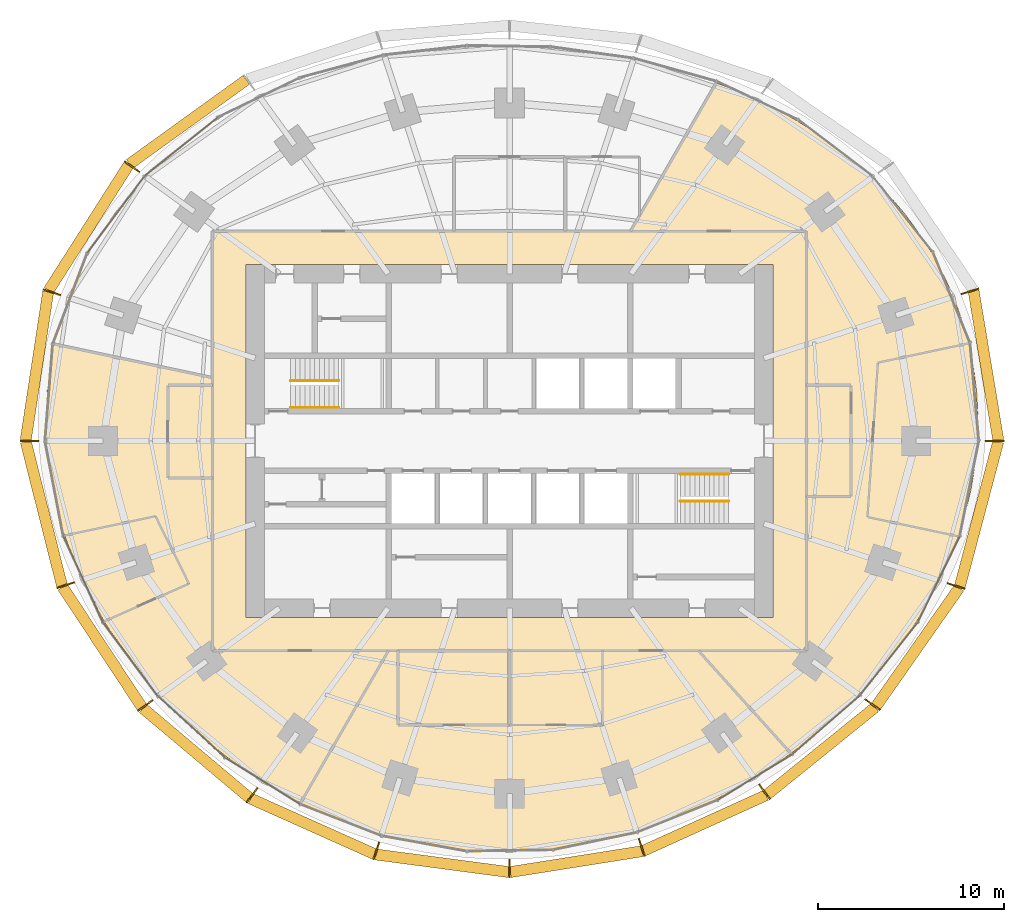
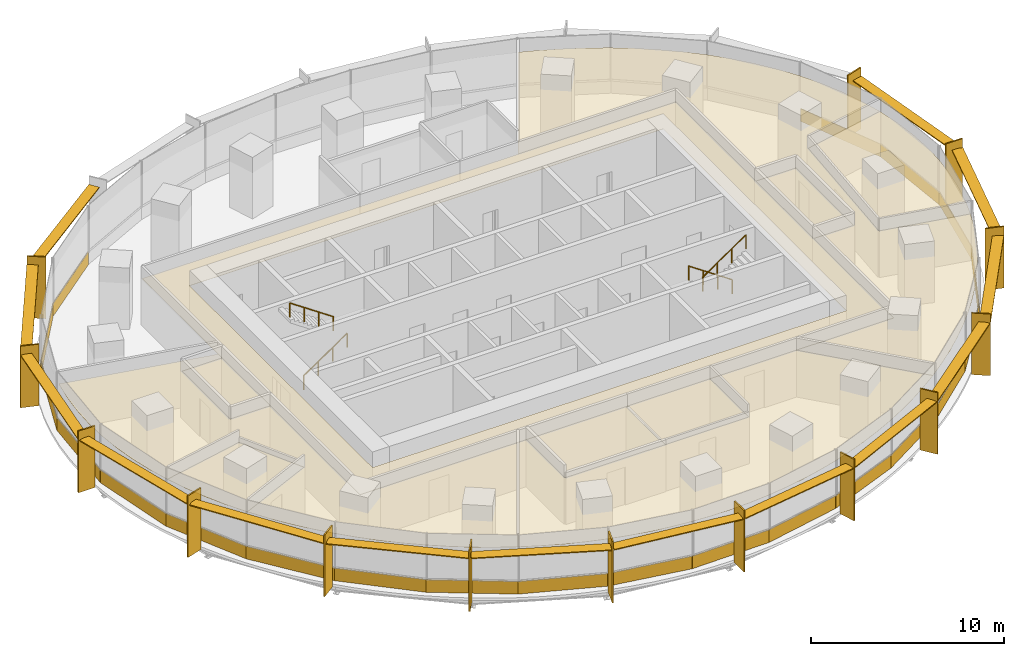
# One storey, part 13 of 14: 31 coverings, 28 shading devices, 4 railings.
"""IFC4 building model written with IfcOpenShell, lengths in metres."""

from ifc_helpers import new_model, si_unit, direction, frame, origin, origin_2d, place, context, subcontext, project, spatial, polyline, rectangle, circle, outline, extrude, material, layer, layer_set, type_object, element, save


model = new_model("IFC4")

# Units and contexts
model_context = context("Model", 3, precision=1e-05, world=origin(), true_north=direction((0.0, 1.0)))
body_context = subcontext(model_context, "Body", "Model", "MODEL_VIEW")
ifc_project = project(units=[si_unit("LENGTHUNIT", "METRE"), si_unit("AREAUNIT", "SQUARE_METRE"), si_unit("VOLUMEUNIT", "CUBIC_METRE"), si_unit("PLANEANGLEUNIT", "RADIAN"), si_unit("MASSUNIT", "GRAM", prefix="KILO")], contexts=[model_context])

# Site, building, storey
site_placement = place(None, origin())
site = spatial("IfcSite", under=ifc_project, at=site_placement, CompositionType="ELEMENT")
building_placement = place(site_placement, origin())
building = spatial("IfcBuilding", under=site, at=building_placement, Name="Marramba Exchange Tower", CompositionType="ELEMENT")
storey_placement = place(building_placement, frame((0.0, 0.0, 123.60009765625)))
storey = spatial("IfcBuildingStorey", under=building, at=storey_placement, Name="L29", CompositionType="ELEMENT", Elevation=123.60009765625)

# Shading devices
ifc_material_1 = material(Name="Aluminium blade, timber-look bronze finish", Category="wood")
ifc_layer_1 = layer(ifc_material_1, 0.080078125)
ifc_layer_set_1 = layer_set([ifc_layer_1], Name="Floor-edge blade 1000x80")
shading_device_type_1 = type_object("IfcShadingDeviceType", Name="Floor-edge blade 1000x80", PredefinedType="USERDEFINED", material=ifc_layer_set_1)
for number, where, z_axis, x_axis, name in (
    (1, (26.132080078125, 0.0, -0.16015625), (0.0, 0.0, 1.0), (1.0, 0.0, 0.0), "Floor-edge blade FB1 L29 TC01"),
    (2, (24.798583984375, 8.0576171875, -0.16015625), (0.0, 0.0, 1.0), (0.951056516295, 0.309016994375, 0.0), "Floor-edge blade FB1 L29 TC02"),
    (3, (-20.33642578125, 14.775390625, -0.16015625), (0.0, 0.0, 1.0), (-0.809016994375, 0.587785252292, 0.0), "Floor-edge blade FB1 L29 TC09"),
    (4, (-24.653076171875, 8.01025390625, -0.16015625), (0.0, 0.0, 1.0), (-0.951056516295, 0.309016994375, 0.0), "Floor-edge blade FB1 L29 TC10"),
    (5, (-25.867919921875, 0.0, -0.16015625), (0.0, 0.0, 1.0), (-1.0, 0.0, 0.0), "Floor-edge blade FB1 L29 TC11"),
    (6, (-23.90673828125, -7.767822265625, -0.16015625), (0.0, 0.0, 1.0), (-0.951056516295, -0.309016994375, 0.0), "Floor-edge blade FB1 L29 TC12"),
    (7, (-19.618408203125, -14.253662109375, -0.16015625), (0.0, 0.0, 1.0), (-0.809016994375, -0.587785252292, 0.0), "Floor-edge blade FB1 L29 TC13"),
    (8, (-13.866943359375, -19.08642578125, -0.16015625), (0.0, 0.0, 1.0), (-0.587785252292, -0.809016994375, 0.0), "Floor-edge blade FB1 L29 TC14"),
    (9, (-7.173828125, -22.078857421875, -0.16015625), (0.0, 0.0, 1.0), (-0.309016994375, -0.951056516295, 0.0), "Floor-edge blade FB1 L29 TC15"),
    (10, (0.0, -23.02685546875, -0.16015625), (0.0, 0.0, 1.0), (0.0, -1.0, 0.0), "Floor-edge blade FB1 L29 TC16"),
    (11, (7.115966796875, -21.900634765625, -0.16015625), (0.0, 0.0, 1.0), (0.309016994375, -0.951056516295, 0.0), "Floor-edge blade FB1 L29 TC17"),
    (12, (13.733154296875, -18.902099609375, -0.16015625), (0.0, 0.0, 1.0), (0.587785252292, -0.809016994375, 0.0), "Floor-edge blade FB1 L29 TC18"),
    (13, (19.555908203125, -14.208251953125, -0.16015625), (0.0, 0.0, 1.0), (0.809016994375, -0.587785252292, 0.0), "Floor-edge blade FB1 L29 TC19"),
    (14, (24.052001953125, -7.81494140625, -0.16015625), (0.0, 0.0, 1.0), (0.951056516295, -0.309016994375, 0.0), "Floor-edge blade FB1 L29 TC20"),
):
    element("IfcShadingDevice", number, at=place(storey_placement, frame(where, z_axis=z_axis, x_axis=x_axis)), inside=storey, type_object=shading_device_type_1, Name=name, ObjectType="FIN", PredefinedType="USERDEFINED", context=body_context, shape_type="SweptSolid", body=[
        extrude(rectangle(XDim=1.0, YDim=0.080078125, at=origin_2d()), origin(), (0.0, 0.0, 1.0), 3.89990234375),
    ])
ifc_material_2 = material(Name="Aluminium sunshade, bronze anodised", Category="aluminium")
ifc_layer_2 = layer(ifc_material_2, 0.06005859375)
ifc_layer_set_2 = layer_set([ifc_layer_2], Name="SUNSHADE blade 600x60")
shading_device_type_2 = type_object("IfcShadingDeviceType", Name="SUNSHADE blade 600x60", PredefinedType="USERDEFINED", material=ifc_layer_set_2)
shading_device_1_placement = place(storey_placement, frame((25.660400390625, 4.0595703125, 3.159912109375), z_axis=(0.0, 0.0, 1.0), x_axis=(-0.163227675764, 0.986588427798, 0.0)))
element("IfcShadingDevice", 15, at=shading_device_1_placement, inside=storey, type_object=shading_device_type_2, Name="Sunshade SS1 L29 bay 01", ObjectType="SUNSHADE", PredefinedType="USERDEFINED", context=body_context, shape_type="SweptSolid", body=[
    extrude(rectangle(XDim=8.149658203125, YDim=0.60009765625, at=origin_2d()), origin(), (0.0, 0.0, 1.0), 0.06005859375),
])
shading_device_2_placement = place(storey_placement, frame((-17.322509765625, 17.18212890625, 3.159912109375), z_axis=(0.0, 0.0, 1.0), x_axis=(-0.811199164202, -0.584769968448, 0.0)))
element("IfcShadingDevice", 16, at=shading_device_2_placement, inside=storey, type_object=shading_device_type_2, Name="Sunshade SS1 L29 bay 08", ObjectType="SUNSHADE", PredefinedType="USERDEFINED", context=body_context, shape_type="SweptSolid", body=[
    extrude(rectangle(XDim=7.749755859375, YDim=0.60009765625, at=origin_2d()), origin(), (0.0, 0.0, 1.0), 0.06005859375),
])
shading_device_3_placement = place(storey_placement, frame((-22.6708984375, 11.482421875, 3.159912109375), z_axis=(0.0, 0.0, 1.0), x_axis=(-0.537284770546, -0.843400898351, 0.0)))
element("IfcShadingDevice", 17, at=shading_device_3_placement, inside=storey, type_object=shading_device_type_2, Name="Sunshade SS1 L29 bay 09", ObjectType="SUNSHADE", PredefinedType="USERDEFINED", context=body_context, shape_type="SweptSolid", body=[
    extrude(rectangle(XDim=8.007080078125, YDim=0.60009765625, at=origin_2d()), origin(), (0.0, 0.0, 1.0), 0.06005859375),
])
shading_device_4_placement = place(storey_placement, frame((-25.455810546875, 4.0361328125, 3.159912109375), z_axis=(0.0, 0.0, 1.0), x_axis=(-0.14999307077, -0.988687047918, 0.0)))
element("IfcShadingDevice", 18, at=shading_device_4_placement, inside=storey, type_object=shading_device_type_2, Name="Sunshade SS1 L29 bay 10", ObjectType="SUNSHADE", PredefinedType="USERDEFINED", context=body_context, shape_type="SweptSolid", body=[
    extrude(rectangle(XDim=8.08447265625, YDim=0.60009765625, at=origin_2d()), origin(), (0.0, 0.0, 1.0), 0.06005859375),
])
shading_device_5_placement = place(storey_placement, frame((-25.08251953125, -3.914794921875, 3.159912109375), z_axis=(0.0, 0.0, 1.0), x_axis=(0.244116522902, -0.969745906537, 0.0)))
element("IfcShadingDevice", 19, at=shading_device_5_placement, inside=storey, type_object=shading_device_type_2, Name="Sunshade SS1 L29 bay 11", ObjectType="SUNSHADE", PredefinedType="USERDEFINED", context=body_context, shape_type="SweptSolid", body=[
    extrude(rectangle(XDim=7.993896484375, YDim=0.60009765625, at=origin_2d()), origin(), (0.0, 0.0, 1.0), 0.06005859375),
])
shading_device_6_placement = place(storey_placement, frame((-21.938720703125, -11.100341796875, 3.159912109375), z_axis=(0.0, 0.0, 1.0), x_axis=(0.550792342935, -0.834642315585, 0.0)))
element("IfcShadingDevice", 20, at=shading_device_6_placement, inside=storey, type_object=shading_device_type_2, Name="Sunshade SS1 L29 bay 12", ObjectType="SUNSHADE", PredefinedType="USERDEFINED", context=body_context, shape_type="SweptSolid", body=[
    extrude(rectangle(XDim=7.757568359375, YDim=0.60009765625, at=origin_2d()), origin(), (0.0, 0.0, 1.0), 0.06005859375),
])
shading_device_7_placement = place(storey_placement, frame((-16.88232421875, -16.8095703125, 3.159912109375), z_axis=(0.0, 0.0, 1.0), x_axis=(0.76513863304, -0.643865569998, 0.0)))
element("IfcShadingDevice", 21, at=shading_device_7_placement, inside=storey, type_object=shading_device_type_2, Name="Sunshade SS1 L29 bay 13", ObjectType="SUNSHADE", PredefinedType="USERDEFINED", context=body_context, shape_type="SweptSolid", body=[
    extrude(rectangle(XDim=7.49462890625, YDim=0.60009765625, at=origin_2d()), origin(), (0.0, 0.0, 1.0), 0.06005859375),
])
shading_device_8_placement = place(storey_placement, frame((-10.610107421875, -20.758544921875, 3.159912109375), z_axis=(0.0, 0.0, 1.0), x_axis=(0.912735880581, -0.408550134377, 0.0)))
element("IfcShadingDevice", 22, at=shading_device_8_placement, inside=storey, type_object=shading_device_type_2, Name="Sunshade SS1 L29 bay 14", ObjectType="SUNSHADE", PredefinedType="USERDEFINED", context=body_context, shape_type="SweptSolid", body=[
    extrude(rectangle(XDim=7.314208984375, YDim=0.60009765625, at=origin_2d()), origin(), (0.0, 0.0, 1.0), 0.06005859375),
])
shading_device_9_placement = place(storey_placement, frame((-3.617919921875, -22.748046875, 3.159912109375), z_axis=(0.0, 0.0, 1.0), x_axis=(0.991350478855, -0.131241106646, 0.0)))
element("IfcShadingDevice", 23, at=shading_device_9_placement, inside=storey, type_object=shading_device_type_2, Name="Sunshade SS1 L29 bay 15", ObjectType="SUNSHADE", PredefinedType="USERDEFINED", context=body_context, shape_type="SweptSolid", body=[
    extrude(rectangle(XDim=7.21875, YDim=0.60009765625, at=origin_2d()), origin(), (0.0, 0.0, 1.0), 0.06005859375),
])
shading_device_10_placement = place(storey_placement, frame((3.5888671875, -22.658935546875, 3.159912109375), z_axis=(0.0, 0.0, 1.0), x_axis=(0.987704817912, 0.15633039587, 0.0)))
element("IfcShadingDevice", 24, at=shading_device_10_placement, inside=storey, type_object=shading_device_type_2, Name="Sunshade SS1 L29 bay 16", ObjectType="SUNSHADE", PredefinedType="USERDEFINED", context=body_context, shape_type="SweptSolid", body=[
    extrude(rectangle(XDim=7.18701171875, YDim=0.60009765625, at=origin_2d()), origin(), (0.0, 0.0, 1.0), 0.06005859375),
])
shading_device_11_placement = place(storey_placement, frame((10.514404296875, -20.577392578125, 3.159912109375), z_axis=(0.0, 0.0, 1.0), x_axis=(0.910692240548, 0.413085515366, 0.0)))
element("IfcShadingDevice", 25, at=shading_device_11_placement, inside=storey, type_object=shading_device_type_2, Name="Sunshade SS1 L29 bay 17", ObjectType="SUNSHADE", PredefinedType="USERDEFINED", context=body_context, shape_type="SweptSolid", body=[
    extrude(rectangle(XDim=7.24755859375, YDim=0.60009765625, at=origin_2d()), origin(), (0.0, 0.0, 1.0), 0.06005859375),
])
shading_device_12_placement = place(storey_placement, frame((16.7841796875, -16.69482421875, 3.159912109375), z_axis=(0.0, 0.0, 1.0), x_axis=(0.777962439436, 0.628310785223, 0.0)))
element("IfcShadingDevice", 26, at=shading_device_12_placement, inside=storey, type_object=shading_device_type_2, Name="Sunshade SS1 L29 bay 18", ObjectType="SUNSHADE", PredefinedType="USERDEFINED", context=body_context, shape_type="SweptSolid", body=[
    extrude(rectangle(XDim=7.46142578125, YDim=0.60009765625, at=origin_2d()), origin(), (0.0, 0.0, 1.0), 0.06005859375),
])
shading_device_13_placement = place(storey_placement, frame((21.97998046875, -11.101318359375, 3.159912109375), z_axis=(0.0, 0.0, 1.0), x_axis=(0.574350885858, 0.818609222959, 0.0)))
element("IfcShadingDevice", 27, at=shading_device_13_placement, inside=storey, type_object=shading_device_type_2, Name="Sunshade SS1 L29 bay 19", ObjectType="SUNSHADE", PredefinedType="USERDEFINED", context=body_context, shape_type="SweptSolid", body=[
    extrude(rectangle(XDim=7.7978515625, YDim=0.60009765625, at=origin_2d()), origin(), (0.0, 0.0, 1.0), 0.06005859375),
])
shading_device_14_placement = place(storey_placement, frame((25.287109375, -3.9384765625, 3.159912109375), z_axis=(0.0, 0.0, 1.0), x_axis=(0.256422950151, 0.966564674833, 0.0)))
element("IfcShadingDevice", 28, at=shading_device_14_placement, inside=storey, type_object=shading_device_type_2, Name="Sunshade SS1 L29 bay 20", ObjectType="SUNSHADE", PredefinedType="USERDEFINED", context=body_context, shape_type="SweptSolid", body=[
    extrude(rectangle(XDim=8.0693359375, YDim=0.60009765625, at=origin_2d()), origin(), (0.0, 0.0, 1.0), 0.06005859375),
])

# Coverings
ifc_material_3 = material(Name="Aluminium spandrel panel, bronze anodised, insulated", Category="aluminium")
ifc_layer_3 = layer(ifc_material_3, 0.050048828125)
ifc_layer_set_3 = layer_set([ifc_layer_3], Name="Spandrel panel 800")
covering_type_1 = type_object("IfcCoveringType", Name="Spandrel panel 800", PredefinedType="CLADDING", material=ifc_layer_set_3)
covering_1_placement = place(storey_placement, frame((25.04541015625, 2.63671875, 0.0), z_axis=(0.0, 0.0, 1.0), x_axis=(-0.089412890131, 0.995994646109, 0.0)))
element("IfcCovering", 29, at=covering_1_placement, inside=storey, type_object=covering_type_1, Name="Spandrel panel SP1 L29 F01", PredefinedType="CLADDING", context=body_context, shape_type="SweptSolid", body=[
    extrude(rectangle(XDim=5.29443359375, YDim=0.050048828125, at=origin_2d()), origin(), (0.0, 0.0, 1.0), 0.800048828125),
])
covering_2_placement = place(storey_placement, frame((23.81201171875, 7.715576171875, 0.0), z_axis=(0.0, 0.0, 1.0), x_axis=(-0.377821185272, 0.925878583811, 0.0)))
element("IfcCovering", 30, at=covering_2_placement, inside=storey, type_object=covering_type_1, Name="Spandrel panel SP1 L29 F02", PredefinedType="CLADDING", context=body_context, shape_type="SweptSolid", body=[
    extrude(rectangle(XDim=5.27587890625, YDim=0.050048828125, at=origin_2d()), origin(), (0.0, 0.0, 1.0), 0.800048828125),
])
covering_3_placement = place(storey_placement, frame((-17.673095703125, 15.854736328125, 0.0), z_axis=(0.0, 0.0, 1.0), x_axis=(-0.781178328369, -0.624307952285, 0.0)))
element("IfcCovering", 31, at=covering_3_placement, inside=storey, type_object=covering_type_1, Name="Spandrel panel SP1 L29 F12", PredefinedType="CLADDING", context=body_context, shape_type="SweptSolid", body=[
    extrude(rectangle(XDim=5.058349609375, YDim=0.050048828125, at=origin_2d()), origin(), (0.0, 0.0, 1.0), 0.800048828125),
])
covering_4_placement = place(storey_placement, frame((-21.19580078125, 12.20068359375, 0.0), z_axis=(0.0, 0.0, 1.0), x_axis=(-0.597703998161, -0.801716864349, 0.0)))
element("IfcCovering", 32, at=covering_4_placement, inside=storey, type_object=covering_type_1, Name="Spandrel panel SP1 L29 F13", PredefinedType="CLADDING", context=body_context, shape_type="SweptSolid", body=[
    extrude(rectangle(XDim=5.17626953125, YDim=0.050048828125, at=origin_2d()), origin(), (0.0, 0.0, 1.0), 0.800048828125),
])
covering_5_placement = place(storey_placement, frame((-23.671875, 7.677490234375, 0.0), z_axis=(0.0, 0.0, 1.0), x_axis=(-0.354844476365, -0.934925343326, 0.0)))
element("IfcCovering", 33, at=covering_5_placement, inside=storey, type_object=covering_type_1, Name="Spandrel panel SP1 L29 F14", PredefinedType="CLADDING", context=body_context, shape_type="SweptSolid", body=[
    extrude(rectangle(XDim=5.2373046875, YDim=0.050048828125, at=origin_2d()), origin(), (0.0, 0.0, 1.0), 0.800048828125),
])
covering_6_placement = place(storey_placement, frame((-24.8095703125, 2.614501953125, 0.0), z_axis=(0.0, 0.0, 1.0), x_axis=(-0.079459700697, -0.996838079111, 0.0)))
element("IfcCovering", 34, at=covering_6_placement, inside=storey, type_object=covering_type_1, Name="Spandrel panel SP1 L29 F15", PredefinedType="CLADDING", context=body_context, shape_type="SweptSolid", body=[
    extrude(rectangle(XDim=5.245849609375, YDim=0.050048828125, at=origin_2d()), origin(), (0.0, 0.0, 1.0), 0.800048828125),
])
covering_7_placement = place(storey_placement, frame((-24.5283203125, -2.5546875, 0.0), z_axis=(0.0, 0.0, 1.0), x_axis=(0.188227222909, -0.982125507538, 0.0)))
element("IfcCovering", 35, at=covering_7_placement, inside=storey, type_object=covering_type_1, Name="Spandrel panel SP1 L29 F16", PredefinedType="CLADDING", context=body_context, shape_type="SweptSolid", body=[
    extrude(rectangle(XDim=5.20263671875, YDim=0.050048828125, at=origin_2d()), origin(), (0.0, 0.0, 1.0), 0.800048828125),
])
covering_8_placement = place(storey_placement, frame((-22.973876953125, -7.43212890625, 0.0), z_axis=(0.0, 0.0, 1.0), x_axis=(0.416737850896, -0.909026712275, 0.0)))
element("IfcCovering", 36, at=covering_8_placement, inside=storey, type_object=covering_type_1, Name="Spandrel panel SP1 L29 F17", PredefinedType="CLADDING", context=body_context, shape_type="SweptSolid", body=[
    extrude(rectangle(XDim=5.10986328125, YDim=0.050048828125, at=origin_2d()), origin(), (0.0, 0.0, 1.0), 0.800048828125),
])
covering_9_placement = place(storey_placement, frame((-20.419921875, -11.75439453125, 0.0), z_axis=(0.0, 0.0, 1.0), x_axis=(0.597304701232, -0.802014397555, 0.0)))
element("IfcCovering", 37, at=covering_9_placement, inside=storey, type_object=covering_type_1, Name="Spandrel panel SP1 L29 F18", PredefinedType="CLADDING", context=body_context, shape_type="SweptSolid", body=[
    extrude(rectangle(XDim=4.986572265625, YDim=0.050048828125, at=origin_2d()), origin(), (0.0, 0.0, 1.0), 0.800048828125),
])
covering_10_placement = place(storey_placement, frame((-17.135986328125, -15.39599609375, 0.0), z_axis=(0.0, 0.0, 1.0), x_axis=(0.737821889246, -0.674995451651, 0.0)))
element("IfcCovering", 38, at=covering_10_placement, inside=storey, type_object=covering_type_1, Name="Spandrel panel SP1 L29 F19", PredefinedType="CLADDING", context=body_context, shape_type="SweptSolid", body=[
    extrude(rectangle(XDim=4.865234375, YDim=0.050048828125, at=origin_2d()), origin(), (0.0, 0.0, 1.0), 0.800048828125),
])
covering_11_placement = place(storey_placement, frame((-13.31787109375, -18.300537109375, 0.0), z_axis=(0.0, 0.0, 1.0), x_axis=(0.848354599309, -0.529428440708, 0.0)))
element("IfcCovering", 39, at=covering_11_placement, inside=storey, type_object=covering_type_1, Name="Spandrel panel SP1 L29 F20", PredefinedType="CLADDING", context=body_context, shape_type="SweptSolid", body=[
    extrude(rectangle(XDim=4.76953125, YDim=0.050048828125, at=origin_2d()), origin(), (0.0, 0.0, 1.0), 0.800048828125),
])
covering_12_placement = place(storey_placement, frame((-9.10302734375, -20.416748046875, 0.0), z_axis=(0.0, 0.0, 1.0), x_axis=(0.931818387481, -0.362924913381, 0.0)))
element("IfcCovering", 40, at=covering_12_placement, inside=storey, type_object=covering_type_1, Name="Spandrel panel SP1 L29 F21", PredefinedType="CLADDING", context=body_context, shape_type="SweptSolid", body=[
    extrude(rectangle(XDim=4.704345703125, YDim=0.050048828125, at=origin_2d()), origin(), (0.0, 0.0, 1.0), 0.800048828125),
])
covering_13_placement = place(storey_placement, frame((-4.616943359375, -21.685302734375, 0.0), z_axis=(0.0, 0.0, 1.0), x_axis=(0.984031866928, -0.177992373069, 0.0)))
element("IfcCovering", 41, at=covering_13_placement, inside=storey, type_object=covering_type_1, Name="Spandrel panel SP1 L29 F22", PredefinedType="CLADDING", context=body_context, shape_type="SweptSolid", body=[
    extrude(rectangle(XDim=4.662841796875, YDim=0.050048828125, at=origin_2d()), origin(), (0.0, 0.0, 1.0), 0.800048828125),
])
covering_14_placement = place(storey_placement, frame((-0.003662109375, -22.065185546875, 0.0), z_axis=(0.0, 0.0, 1.0), x_axis=(0.999884797651, 0.015178650325, 0.0)))
element("IfcCovering", 42, at=covering_14_placement, inside=storey, type_object=covering_type_1, Name="Spandrel panel SP1 L29 F23", PredefinedType="CLADDING", context=body_context, shape_type="SweptSolid", body=[
    extrude(rectangle(XDim=4.638916015625, YDim=0.050048828125, at=origin_2d()), origin(), (0.0, 0.0, 1.0), 0.800048828125),
])
covering_15_placement = place(storey_placement, frame((4.58447265625, -21.56103515625, 0.0), z_axis=(0.0, 0.0, 1.0), x_axis=(0.979310200528, 0.202364846604, 0.0)))
element("IfcCovering", 43, at=covering_15_placement, inside=storey, type_object=covering_type_1, Name="Spandrel panel SP1 L29 F24", PredefinedType="CLADDING", context=body_context, shape_type="SweptSolid", body=[
    extrude(rectangle(XDim=4.6337890625, YDim=0.050048828125, at=origin_2d()), origin(), (0.0, 0.0, 1.0), 0.800048828125),
])
covering_16_placement = place(storey_placement, frame((9.014892578125, -20.225341796875, 0.0), z_axis=(0.0, 0.0, 1.0), x_axis=(0.928148914987, 0.372209069755, 0.0)))
element("IfcCovering", 44, at=covering_16_placement, inside=storey, type_object=covering_type_1, Name="Spandrel panel SP1 L29 F25", PredefinedType="CLADDING", context=body_context, shape_type="SweptSolid", body=[
    extrude(rectangle(XDim=4.657958984375, YDim=0.050048828125, at=origin_2d()), origin(), (0.0, 0.0, 1.0), 0.800048828125),
])
covering_17_placement = place(storey_placement, frame((13.193115234375, -18.125244140625, 0.0), z_axis=(0.0, 0.0, 1.0), x_axis=(0.853109118827, 0.521732528576, 0.0)))
element("IfcCovering", 45, at=covering_17_placement, inside=storey, type_object=covering_type_1, Name="Spandrel panel SP1 L29 F26", PredefinedType="CLADDING", context=body_context, shape_type="SweptSolid", body=[
    extrude(rectangle(XDim=4.7275390625, YDim=0.050048828125, at=origin_2d()), origin(), (0.0, 0.0, 1.0), 0.800048828125),
])
covering_18_placement = place(storey_placement, frame((17.038818359375, -15.30029296875, 0.0), z_axis=(0.0, 0.0, 1.0), x_axis=(0.754385510875, 0.656431642277, 0.0)))
element("IfcCovering", 46, at=covering_18_placement, inside=storey, type_object=covering_type_1, Name="Spandrel panel SP1 L29 F27", PredefinedType="CLADDING", context=body_context, shape_type="SweptSolid", body=[
    extrude(rectangle(XDim=4.849609375, YDim=0.050048828125, at=origin_2d()), origin(), (0.0, 0.0, 1.0), 0.800048828125),
])
covering_19_placement = place(storey_placement, frame((20.425048828125, -11.747802734375, 0.0), z_axis=(0.0, 0.0, 1.0), x_axis=(0.621807470279, 0.783170141097, 0.0)))
element("IfcCovering", 47, at=covering_19_placement, inside=storey, type_object=covering_type_1, Name="Spandrel panel SP1 L29 F28", PredefinedType="CLADDING", context=body_context, shape_type="SweptSolid", body=[
    extrude(rectangle(XDim=5.00732421875, YDim=0.050048828125, at=origin_2d()), origin(), (0.0, 0.0, 1.0), 0.800048828125),
])
covering_20_placement = place(storey_placement, frame((23.114013671875, -7.47021484375, 0.0), z_axis=(0.0, 0.0, 1.0), x_axis=(0.439086346903, 0.898444867515, 0.0)))
element("IfcCovering", 48, at=covering_20_placement, inside=storey, type_object=covering_type_1, Name="Spandrel panel SP1 L29 F29", PredefinedType="CLADDING", context=body_context, shape_type="SweptSolid", body=[
    extrude(rectangle(XDim=5.156982421875, YDim=0.050048828125, at=origin_2d()), origin(), (0.0, 0.0, 1.0), 0.800048828125),
])
covering_21_placement = place(storey_placement, frame((24.76416015625, -2.576904296875, 0.0), z_axis=(0.0, 0.0, 1.0), x_axis=(0.197048514193, 0.980393738788, 0.0)))
element("IfcCovering", 49, at=covering_21_placement, inside=storey, type_object=covering_type_1, Name="Spandrel panel SP1 L29 F30", PredefinedType="CLADDING", context=body_context, shape_type="SweptSolid", body=[
    extrude(rectangle(XDim=5.2568359375, YDim=0.050048828125, at=origin_2d()), origin(), (0.0, 0.0, 1.0), 0.800048828125),
])

# Railings
ifc_material_4 = material(Name="Stainless steel handrail", Category="steel")
railing_type = type_object("IfcRailingType", Name="Stair handrail 900", PredefinedType="HANDRAIL", material=ifc_material_4)
railing_1_placement = place(storey_placement, frame((-11.800048828125, 1.800048828125, 0.17724609375)))
element("IfcRailing", 50, at=railing_1_placement, inside=storey, type_object=railing_type, Name="Handrail HR1 ST1 L29 flight 1", PredefinedType="HANDRAIL", context=body_context, shape_type="SweptSolid", body=[
    extrude(circle(Radius=0.02392578125, at=origin_2d()), frame((0.0, 0.0, 0.8759765625), z_axis=(0.826240473404, 0.0, 0.563317565952), x_axis=(0.0, 1.0, 0.0)), (0.0, 0.0, 1.0), 3.14697265625),
    extrude(circle(Radius=0.02099609375, at=origin_2d()), origin(), (0.0, 0.0, 1.0), 0.851806640625),
    extrude(circle(Radius=0.02099609375, at=origin_2d()), frame((0.86669921875, 0.0, 0.5908203125)), (0.0, 0.0, 1.0), 0.851806640625),
    extrude(circle(Radius=0.02099609375, at=origin_2d()), frame((1.7333984375, 0.0, 1.181884765625)), (0.0, 0.0, 1.0), 0.851806640625),
    extrude(circle(Radius=0.02099609375, at=origin_2d()), frame((2.60009765625, 0.0, 1.772705078125)), (0.0, 0.0, 1.0), 0.851806640625),
])
for number, where, name in (
    (51, (-9.199951171875, 3.25, 2.127197265625), "Handrail HR1 ST1 L29 flight 2"),
    (52, (11.800048828125, -1.800048828125, 0.17724609375), "Handrail HR1 ST2 L29 flight 1"),
):
    element("IfcRailing", number, at=place(storey_placement, frame(where)), inside=storey, type_object=railing_type, Name=name, PredefinedType="HANDRAIL", context=body_context, shape_type="SweptSolid", body=[
        extrude(circle(Radius=0.02392578125, at=origin_2d()), frame((0.0, 0.0, 0.8759765625), z_axis=(-0.826240473404, 0.0, 0.563317565952), x_axis=(0.0, -1.0, 0.0)), (0.0, 0.0, 1.0), 3.14697265625),
        extrude(circle(Radius=0.02099609375, at=origin_2d()), origin(), (0.0, 0.0, 1.0), 0.851806640625),
        extrude(circle(Radius=0.02099609375, at=origin_2d()), frame((-0.86669921875, 0.0, 0.5908203125)), (0.0, 0.0, 1.0), 0.851806640625),
        extrude(circle(Radius=0.02099609375, at=origin_2d()), frame((-1.7333984375, 0.0, 1.181884765625)), (0.0, 0.0, 1.0), 0.851806640625),
        extrude(circle(Radius=0.02099609375, at=origin_2d()), frame((-2.60009765625, 0.0, 1.772705078125)), (0.0, 0.0, 1.0), 0.851806640625),
    ])
railing_2_placement = place(storey_placement, frame((9.199951171875, -3.25, 2.127197265625)))
element("IfcRailing", 53, at=railing_2_placement, inside=storey, type_object=railing_type, Name="Handrail HR1 ST2 L29 flight 2", PredefinedType="HANDRAIL", context=body_context, shape_type="SweptSolid", body=[
    extrude(circle(Radius=0.02392578125, at=origin_2d()), frame((0.0, 0.0, 0.8759765625), z_axis=(0.826240473404, 0.0, 0.563317565952), x_axis=(0.0, 1.0, 0.0)), (0.0, 0.0, 1.0), 3.14697265625),
    extrude(circle(Radius=0.02099609375, at=origin_2d()), origin(), (0.0, 0.0, 1.0), 0.851806640625),
    extrude(circle(Radius=0.02099609375, at=origin_2d()), frame((0.86669921875, 0.0, 0.5908203125)), (0.0, 0.0, 1.0), 0.851806640625),
    extrude(circle(Radius=0.02099609375, at=origin_2d()), frame((1.7333984375, 0.0, 1.181884765625)), (0.0, 0.0, 1.0), 0.851806640625),
    extrude(circle(Radius=0.02099609375, at=origin_2d()), frame((2.60009765625, 0.0, 1.772705078125)), (0.0, 0.0, 1.0), 0.851806640625),
])

# Coverings
ifc_material_5 = material(Name="Mineral fibre ceiling tiles", Category="gypsum")
ifc_layer_4 = layer(ifc_material_5, 0.02001953125)
ifc_layer_set_4 = layer_set([ifc_layer_4], Name="Suspended ceiling 20")
covering_type_2 = type_object("IfcCoveringType", Name="Suspended ceiling 20", PredefinedType="CEILING", material=ifc_layer_set_4)
covering_22_placement = place(storey_placement, frame((0.0, 0.0, 2.89990234375)))
element("IfcCovering", 54, at=covering_22_placement, inside=storey, type_object=covering_type_2, Name="Ceiling CL1 L29 Open Plan Office 1", PredefinedType="CEILING", context=body_context, shape_type="SweptSolid", body=[
    extrude(outline(polyline([(16.0, -3.0), (18.39990234375, -3.0), (18.39990234375, 3.0), (16.0, 3.0), (16.0, 11.300048828125), (6.524169921875, 11.300048828125), (11.13671875, 19.289306640625), (12.24658203125, 18.8583984375), (13.348876953125, 18.373046875), (14.43896484375, 17.830810546875), (15.512451171875, 17.228271484375), (16.563720703125, 16.563720703125), (17.5869140625, 15.835205078125), (18.5751953125, 15.041748046875), (19.521484375, 14.18310546875), (20.4189453125, 13.26025390625), (21.259765625, 12.2744140625), (22.03662109375, 11.228271484375), (22.7421875, 10.12548828125), (23.3701171875, 8.970947265625), (23.9140625, 7.77001953125), (24.368896484375, 6.529541015625), (24.73046875, 5.256591796875), (19.839599609375, 4.217041015625), (19.277099609375, -4.097412109375), (24.16796875, -5.136962890625), (23.703125, -6.351318359375), (23.16748046875, -7.527587890625), (22.5673828125, -8.662841796875), (21.90869140625, -9.75439453125), (21.197509765625, -10.80078125), (20.439697265625, -11.80078125), (19.64013671875, -12.75439453125), (18.803466796875, -13.66162109375), (17.93359375, -14.5224609375), (17.033935546875, -15.33740234375), (16.107421875, -16.107421875), (15.156005859375, -16.83251953125), (10.174560546875, -11.300048828125), (16.0, -11.300048828125), (16.0, -3.0)])), origin(), (0.0, 0.0, 1.0), 0.02001953125),
])
covering_23_placement = place(storey_placement, frame((0.0, 0.0, 2.89990234375)))
element("IfcCovering", 55, at=covering_23_placement, inside=storey, type_object=covering_type_2, Name="Ceiling CL1 L29 Office 3", PredefinedType="CEILING", context=body_context, shape_type="SweptSolid", body=[
    extrude(outline(polyline([(-13.3203125, -18.333984375), (-14.317138671875, -17.68017578125), (-15.28759765625, -16.978515625), (-16.229736328125, -16.229736328125), (-17.1416015625, -15.434326171875), (-18.021240234375, -14.59326171875), (-18.865966796875, -13.706787109375), (-19.673095703125, -12.77587890625), (-20.439697265625, -11.80078125), (-21.162109375, -10.78271484375), (-21.836181640625, -9.72216796875), (-17.268310546875, -7.6884765625), (-19.069580078125, -4.053466796875), (-23.96044921875, -5.093017578125), (-24.32421875, -3.8525390625), (-24.611083984375, -2.586669921875), (-24.81689453125, -1.300537109375), (-24.93798828125, 0.0), (-24.970947265625, 1.30859375), (-24.913330078125, 2.618408203125), (-24.76416015625, 3.92236328125), (-24.52294921875, 5.21240234375), (-16.0, 3.40087890625), (-16.0, 3.0), (-18.39990234375, 3.0), (-18.39990234375, -2.0), (-16.0, -2.0), (-16.0, -11.300048828125), (-6.524169921875, -11.300048828125), (-11.2548828125, -19.493896484375), (-12.299072265625, -18.938720703125), (-13.3203125, -18.333984375)])), origin(), (0.0, 0.0, 1.0), 0.02001953125),
])
covering_24_placement = place(storey_placement, frame((0.0, 0.0, 2.89990234375)))
element("IfcCovering", 56, at=covering_24_placement, inside=storey, type_object=covering_type_2, Name="Ceiling CL1 L29 Office 4", PredefinedType="CEILING", context=body_context, shape_type="SweptSolid", body=[
    extrude(outline(polyline([(12.440185546875, -13.81640625), (15.156005859375, -16.83251953125), (14.181884765625, -17.51318359375), (13.1865234375, -18.14990234375), (12.171142578125, -18.741943359375), (11.13671875, -19.289306640625), (10.083984375, -19.791259765625), (9.0146484375, -20.2470703125), (7.928955078125, -20.65576171875), (6.82861328125, -21.01611328125), (5.714599609375, -21.3271484375), (4.58837890625, -21.587158203125), (3.4521484375, -21.79541015625), (2.30712890625, -21.950439453125), (1.15576171875, -22.05126953125), (0.0, -22.096923828125), (-1.157470703125, -22.0869140625), (-2.314453125, -22.020751953125), (-3.468505859375, -21.898193359375), (-4.61669921875, -21.719482421875), (-5.7568359375, -21.484619140625), (-6.886474609375, -21.1943359375), (-8.00341796875, -20.84912109375), (-9.10498046875, -20.4501953125), (-10.189453125, -19.997802734375), (-11.2548828125, -19.493896484375), (-6.524169921875, -11.300048828125), (-6.0, -11.300048828125), (-6.0, -15.300048828125), (0.0, -15.300048828125), (5.0, -15.300048828125), (5.0, -11.300048828125), (10.174560546875, -11.300048828125), (12.440185546875, -13.81640625)])), origin(), (0.0, 0.0, 1.0), 0.02001953125),
])
covering_25_placement = place(storey_placement, frame((0.0, 0.0, 2.89990234375)))
element("IfcCovering", 57, at=covering_25_placement, inside=storey, type_object=covering_type_2, Name="Ceiling CL1 L29 Corridor", PredefinedType="CEILING", context=body_context, shape_type="SweptSolid", body=[
    extrude(outline(polyline([(-16.0, 11.300048828125), (16.0, 11.300048828125), (16.0, -11.300048828125), (-16.0, -11.300048828125), (-16.0, 11.300048828125)]), holes=[polyline([(-14.199951171875, 9.5), (-14.199951171875, -9.5), (14.199951171875, -9.5), (14.199951171875, 9.5), (-14.199951171875, 9.5)])]), origin(), (0.0, 0.0, 1.0), 0.02001953125),
])
covering_26_placement = place(storey_placement, frame((0.0, 0.0, 2.89990234375)))
element("IfcCovering", 58, at=covering_26_placement, inside=storey, type_object=covering_type_2, Name="Ceiling CL1 L29 Office 1", PredefinedType="CEILING", context=body_context, shape_type="SweptSolid", body=[
    extrude(outline(polyline([(24.86328125, 4.6064453125), (24.99560546875, 3.958984375), (25.16259765625, 2.644775390625), (25.186279296875, 2.190185546875), (25.231201171875, 1.322265625), (25.201904296875, 0.0), (25.181884765625, -0.212646484375), (25.077392578125, -1.314208984375), (24.96533203125, -1.984619140625), (24.8603515625, -2.61279296875), (24.80078125, -2.862548828125), (24.555419921875, -3.88916015625), (24.16796875, -5.136962890625), (19.277099609375, -4.097412109375), (19.839599609375, 4.217041015625), (24.73046875, 5.256591796875), (24.86328125, 4.6064453125)])), origin(), (0.0, 0.0, 1.0), 0.02001953125),
])
covering_27_placement = place(storey_placement, frame((0.0, 0.0, 2.89990234375)))
element("IfcCovering", 59, at=covering_27_placement, inside=storey, type_object=covering_type_2, Name="Ceiling CL1 L29 Office 2", PredefinedType="CEILING", context=body_context, shape_type="SweptSolid", body=[
    extrude(outline(polyline([(-22.188232421875, -9.098388671875), (-22.457763671875, -8.62060546875), (-23.022216796875, -7.48046875), (-23.407470703125, -6.57861328125), (-23.52490234375, -6.303466796875), (-23.96044921875, -5.093017578125), (-19.069580078125, -4.053466796875), (-17.268310546875, -7.6884765625), (-21.836181640625, -9.72216796875), (-22.188232421875, -9.098388671875)])), origin(), (0.0, 0.0, 1.0), 0.02001953125),
])
covering_28_placement = place(storey_placement, frame((0.0, 0.0, 2.89990234375)))
element("IfcCovering", 60, at=covering_28_placement, inside=storey, type_object=covering_type_2, Name="Ceiling CL1 L29 Meeting Room 1", PredefinedType="CEILING", context=body_context, shape_type="SweptSolid", body=[
    extrude(outline(polyline([(18.39990234375, -3.0), (16.0, -3.0), (16.0, 3.0), (18.39990234375, 3.0), (18.39990234375, -3.0)])), origin(), (0.0, 0.0, 1.0), 0.02001953125),
])
covering_29_placement = place(storey_placement, frame((0.0, 0.0, 2.89990234375)))
element("IfcCovering", 61, at=covering_29_placement, inside=storey, type_object=covering_type_2, Name="Ceiling CL1 L29 Meeting Room 3", PredefinedType="CEILING", context=body_context, shape_type="SweptSolid", body=[
    extrude(outline(polyline([(-16.0, -2.0), (-18.39990234375, -2.0), (-18.39990234375, 3.0), (-16.0, 3.0), (-16.0, -2.0)])), origin(), (0.0, 0.0, 1.0), 0.02001953125),
])
covering_30_placement = place(storey_placement, frame((0.0, 0.0, 2.89990234375)))
element("IfcCovering", 62, at=covering_30_placement, inside=storey, type_object=covering_type_2, Name="Ceiling CL1 L29 Meeting Room 4", PredefinedType="CEILING", context=body_context, shape_type="SweptSolid", body=[
    extrude(outline(polyline([(0.0, -15.300048828125), (-6.0, -15.300048828125), (-6.0, -11.300048828125), (0.0, -11.300048828125), (0.0, -15.300048828125)])), origin(), (0.0, 0.0, 1.0), 0.02001953125),
])
covering_31_placement = place(storey_placement, frame((0.0, 0.0, 2.89990234375)))
element("IfcCovering", 63, at=covering_31_placement, inside=storey, type_object=covering_type_2, Name="Ceiling CL1 L29 Pantry 2", PredefinedType="CEILING", context=body_context, shape_type="SweptSolid", body=[
    extrude(outline(polyline([(5.0, -15.300048828125), (0.0, -15.300048828125), (0.0, -11.300048828125), (5.0, -11.300048828125), (5.0, -15.300048828125)])), origin(), (0.0, 0.0, 1.0), 0.02001953125),
])

save(model, "model.ifc")
